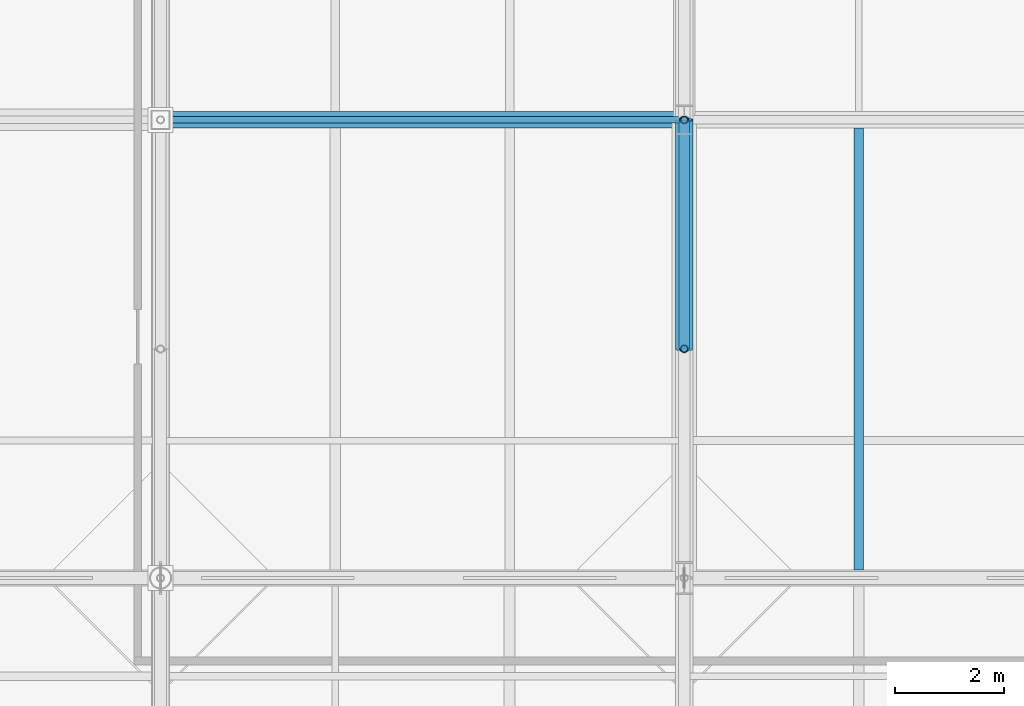
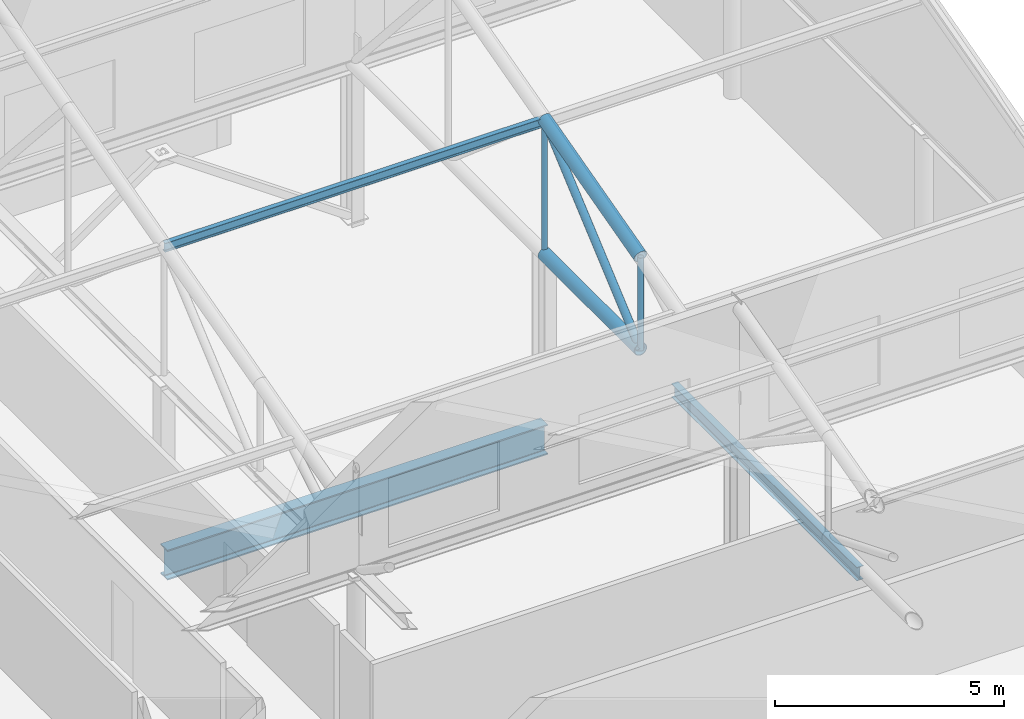
# One storey, part 48 of 89: 6 members, 2 beams.
"""IFC4 building model written with IfcOpenShell, lengths in metres."""

from ifc_helpers import new_model, si_unit, direction, frame, origin, origin_2d, place, context, subcontext, project, spatial, hollow_circle, i_section, extrude, material, material_profile, profile_set, type_object, element, save


model = new_model("IFC4")

# Units and contexts
model_context = context("Model", 3, precision=1e-05, world=origin(), true_north=direction((0.0, 1.0)))
body_context = subcontext(model_context, "Body", "Model", "MODEL_VIEW")
ifc_project = project(units=[si_unit("LENGTHUNIT", "METRE"), si_unit("AREAUNIT", "SQUARE_METRE"), si_unit("VOLUMEUNIT", "CUBIC_METRE"), si_unit("PLANEANGLEUNIT", "RADIAN"), si_unit("MASSUNIT", "GRAM", prefix="KILO")], contexts=[model_context])

# Site, building, storey
site_placement = place(None, origin())
site = spatial("IfcSite", under=ifc_project, at=site_placement, CompositionType="ELEMENT")
building_placement = place(site_placement, origin())
building = spatial("IfcBuilding", under=site, at=building_placement, Name="Zereglee Splitstone Museum", CompositionType="ELEMENT")
storey_placement = place(building_placement, frame((0.0, 0.0, 21.300048828125)))
storey = spatial("IfcBuildingStorey", under=building, at=storey_placement, Name="L04", CompositionType="ELEMENT", Elevation=21.300048828125)

# Members
ifc_material_1 = material(Name="Steel S355J2H", Category="steel")
ifc_material_profile_1 = material_profile(ifc_material_1, hollow_circle(Radius=0.096923828125, WallThickness=0.010009765625, at=origin_2d()), Name="CHS 193.7x10")
ifc_profile_set_1 = profile_set([ifc_material_profile_1], Name="Steel S355J2H")
member_type_1 = type_object("IfcMemberType", Name="TB-04", PredefinedType="BRACE", material=ifc_profile_set_1)
member_1_placement = place(storey_placement, frame((135.60009765625, 25.800048828125, 4.199951171875), z_axis=(0.0, 0.759244140748, 0.650805911728), x_axis=(-1.0, 0.0, 0.0)))
element("IfcMember", 1, at=member_1_placement, inside=storey, type_object=member_type_1, Name="Roof Truss ST-07 Diagonal 2.2", PredefinedType="BRACE", context=body_context, shape_type="SweptSolid", body=[
    extrude(hollow_circle(Radius=0.096923828125, WallThickness=0.010009765625, at=origin_2d()), origin(), (0.0, 0.0, 1.0), 5.53173828125),
])
ifc_material_profile_2 = material_profile(ifc_material_1, hollow_circle(Radius=0.161865234375, WallThickness=0.01611328125, at=origin_2d()), Name="CHS 323.9x16")
ifc_profile_set_2 = profile_set([ifc_material_profile_2], Name="Steel S355J2H")
member_type_2 = type_object("IfcMemberType", Name="TC-05", PredefinedType="CHORD", material=ifc_profile_set_2)
member_2_placement = place(storey_placement, frame((135.60009765625, 25.800048828125, 4.199951171875), z_axis=(0.0, 1.0, 0.0), x_axis=(-1.0, 0.0, 0.0)))
element("IfcMember", 2, at=member_2_placement, inside=storey, type_object=member_type_2, Name="Roof Truss ST-07 Bottom Chord 2.2", PredefinedType="CHORD", context=body_context, shape_type="SweptSolid", body=[
    extrude(hollow_circle(Radius=0.161865234375, WallThickness=0.01611328125, at=origin_2d()), origin(), (0.0, 0.0, 1.0), 4.199951171875),
])
member_3_placement = place(storey_placement, frame((135.60009765625, 25.800048828125, 6.675048828125), z_axis=(0.0, 0.965947299715, 0.258738891884), x_axis=(-1.0, 0.0, 0.0)))
element("IfcMember", 3, at=member_3_placement, inside=storey, type_object=member_type_2, Name="Roof Truss ST-07 Top Chord 2.2", PredefinedType="CHORD", context=body_context, shape_type="SweptSolid", body=[
    extrude(hollow_circle(Radius=0.161865234375, WallThickness=0.01611328125, at=origin_2d()), origin(), (0.0, 0.0, 1.0), 4.347900390625),
])

# Beams
ifc_material_2 = material(Name="Steel S355J2", Category="steel")
ifc_material_profile_3 = material_profile(ifc_material_2, i_section(OverallWidth=0.300048828125, OverallDepth=0.800048828125, WebThickness=0.017578125, FlangeThickness=0.032958984375, FilletRadius=0.030029296875, at=origin_2d()), Name="HE 800 B")
ifc_profile_set_3 = profile_set([ifc_material_profile_3], Name="Steel S355J2")
beam_type_1 = type_object("IfcBeamType", Name="BG-07", PredefinedType="BEAM", material=ifc_profile_set_3)
beam_1_placement = place(storey_placement, frame((126.0, 30.0, -0.66015625), z_axis=(1.0, 0.0, 0.0), x_axis=(0.0, 1.0, 0.0)))
element("IfcBeam", 4, at=beam_1_placement, inside=storey, type_object=beam_type_1, Name="Primary Girder L04 D (126.0-135.6)", PredefinedType="BEAM", context=body_context, shape_type="SweptSolid", body=[
    extrude(i_section(OverallWidth=0.300048828125, OverallDepth=0.800048828125, WebThickness=0.017578125, FlangeThickness=0.032958984375, FilletRadius=0.030029296875, at=origin_2d()), origin(), (0.0, 0.0, 1.0), 9.60009765625),
])
ifc_material_profile_4 = material_profile(ifc_material_2, i_section(OverallWidth=0.169921875, OverallDepth=0.360107421875, WebThickness=0.008056640625, FlangeThickness=0.0126953125, FilletRadius=0.01806640625, at=origin_2d()), Name="IPE 360")
ifc_profile_set_4 = profile_set([ifc_material_profile_4], Name="Steel S355J2")
beam_type_2 = type_object("IfcBeamType", Name="BJ-04", PredefinedType="JOIST", material=ifc_profile_set_4)
beam_2_placement = place(storey_placement, frame((138.800048828125, 21.75, -0.43994140625), z_axis=(0.0, 1.0, 0.0), x_axis=(-1.0, 0.0, 0.0)))
element("IfcBeam", 5, at=beam_2_placement, inside=storey, type_object=beam_type_2, Name="Secondary Floor Joist L04-1536", PredefinedType="JOIST", context=body_context, shape_type="SweptSolid", body=[
    extrude(i_section(OverallWidth=0.169921875, OverallDepth=0.360107421875, WebThickness=0.008056640625, FlangeThickness=0.0126953125, FilletRadius=0.01806640625, at=origin_2d()), origin(), (0.0, 0.0, 1.0), 8.10009765625),
])

# Members
ifc_material_profile_5 = material_profile(ifc_material_1, hollow_circle(Radius=0.06982421875, WallThickness=0.008056640625, at=origin_2d()), Name="CHS 139.7x8")
ifc_profile_set_5 = profile_set([ifc_material_profile_5], Name="Steel S355J2H")
member_type_3 = type_object("IfcMemberType", Name="TP-03", PredefinedType="POST", material=ifc_profile_set_5)
member_4_placement = place(storey_placement, frame((135.60009765625, 25.800048828125, 4.199951171875), z_axis=(0.0, 0.0, 1.0), x_axis=(1.0, 0.0, 0.0)))
element("IfcMember", 6, at=member_4_placement, inside=storey, type_object=member_type_3, Name="Roof Truss ST-07 Post 2.1", PredefinedType="POST", context=body_context, shape_type="SweptSolid", body=[
    extrude(hollow_circle(Radius=0.06982421875, WallThickness=0.008056640625, at=origin_2d()), origin(), (0.0, 0.0, 1.0), 2.47509765625),
])
member_5_placement = place(storey_placement, frame((135.60009765625, 30.0, 4.199951171875), z_axis=(0.0, 0.0, 1.0), x_axis=(1.0, 0.0, 0.0)))
element("IfcMember", 7, at=member_5_placement, inside=storey, type_object=member_type_3, Name="Roof Truss ST-07 Post 2.2", PredefinedType="POST", context=body_context, shape_type="SweptSolid", body=[
    extrude(hollow_circle(Radius=0.06982421875, WallThickness=0.008056640625, at=origin_2d()), origin(), (0.0, 0.0, 1.0), 3.60009765625),
])
ifc_material_profile_6 = material_profile(ifc_material_2, i_section(OverallWidth=0.1201171875, OverallDepth=0.239990234375, WebThickness=0.006103515625, FlangeThickness=0.009765625, FilletRadius=0.014892578125, at=origin_2d()), Name="IPE 240")
ifc_profile_set_6 = profile_set([ifc_material_profile_6], Name="Steel S355J2")
member_type_4 = type_object("IfcMemberType", Name="PR-03", PredefinedType="PURLIN", material=ifc_profile_set_6)
member_6_placement = place(storey_placement, frame((126.0, 30.0, 7.754150390625), z_axis=(1.0, 0.0, 0.0), x_axis=(0.0, 1.0, 0.0)))
element("IfcMember", 8, at=member_6_placement, inside=storey, type_object=member_type_4, Name="Sawtooth Roof Purlin B6-S2-2", PredefinedType="PURLIN", context=body_context, shape_type="SweptSolid", body=[
    extrude(i_section(OverallWidth=0.1201171875, OverallDepth=0.239990234375, WebThickness=0.006103515625, FlangeThickness=0.009765625, FilletRadius=0.014892578125, at=origin_2d()), origin(), (0.0, 0.0, 1.0), 9.60009765625),
])

save(model, "model.ifc")
